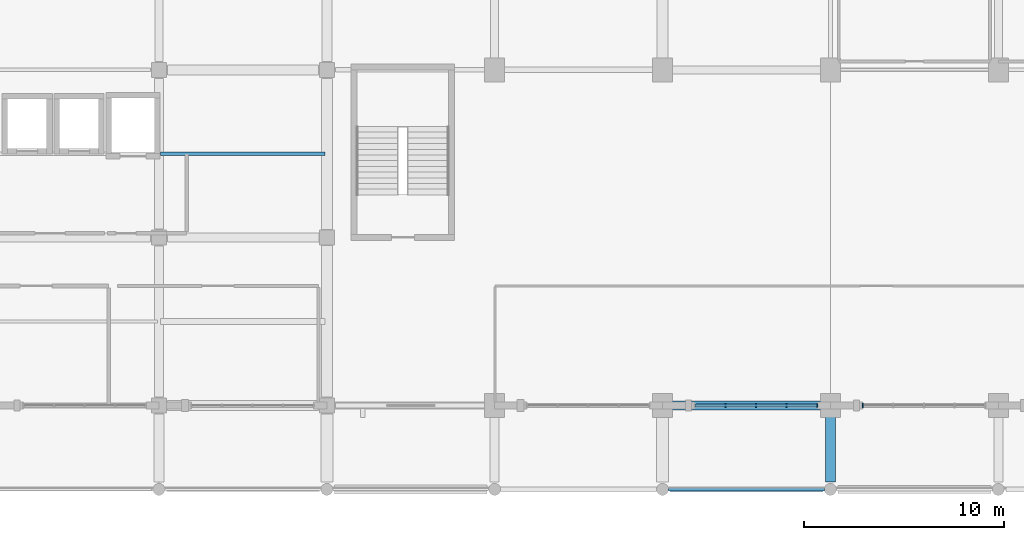
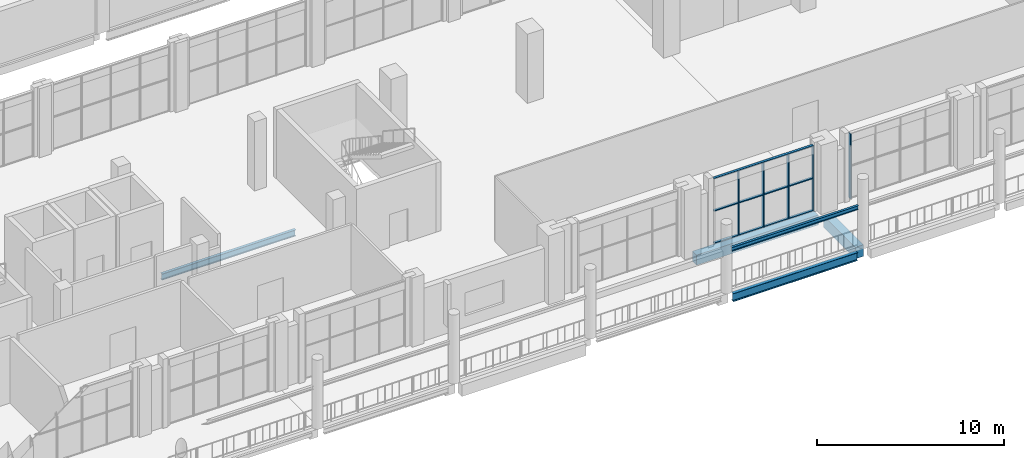
# One storey, part 26 of 75: 8 members, 5 beams, 2 elements without a shape of their own.
"""IFC4 building model written with IfcOpenShell, lengths in metres."""

from ifc_helpers import new_model, si_unit, derived_unit, direction, frame, origin, origin_2d, place, context, subcontext, project, spatial, rectangle, i_section, extrude, material, material_profile, profile_set, type_object, element, aggregate, save


model = new_model("IFC4")

# Units and contexts
model_context = context("Model", 3, precision=1e-05, world=origin(), true_north=direction((0.0, 1.0)))
body_context = subcontext(model_context, "Body", "Model", "MODEL_VIEW")
ifc_project = project(units=[si_unit("LENGTHUNIT", "METRE"), si_unit("AREAUNIT", "SQUARE_METRE"), si_unit("VOLUMEUNIT", "CUBIC_METRE"), si_unit("PLANEANGLEUNIT", "RADIAN"), si_unit("MASSUNIT", "GRAM", prefix="KILO"), derived_unit("THERMALTRANSMITTANCEUNIT", [(si_unit("POWERUNIT", "WATT"), 1), (si_unit("LENGTHUNIT", "METRE"), -2), (si_unit("THERMODYNAMICTEMPERATUREUNIT", "KELVIN"), -1)])], contexts=[model_context])

# Site, building, storey
site_placement = place(None, origin())
site = spatial("IfcSite", under=ifc_project, at=site_placement, CompositionType="ELEMENT")
building_placement = place(site_placement, origin())
building = spatial("IfcBuilding", under=site, at=building_placement, Name="Barrovel Congress Hotel", CompositionType="ELEMENT")
storey_placement = place(building_placement, frame((0.0, 0.0, 5.39990234375)))
storey = spatial("IfcBuildingStorey", under=building, at=storey_placement, Name="L01", CompositionType="ELEMENT", Elevation=5.39990234375)

# Beams
ifc_material_1 = material(Name="Concrete C40", Category="concrete")
ifc_material_profile_1 = material_profile(ifc_material_1, rectangle(XDim=0.449951171875, YDim=0.64990234375, at=origin_2d()), Name="RC450x650")
ifc_profile_set_1 = profile_set([ifc_material_profile_1], Name="Concrete C40")
beam_type_1 = type_object("IfcBeamType", Name="BM-RC450x650", PredefinedType="BEAM", material=ifc_profile_set_1)
beam_1_placement = place(storey_placement, frame((118.050048828125, 4.199951171875, -0.5849609375), z_axis=(1.0, 0.0, 0.0), x_axis=(0.0, 1.0, 0.0)))
element("IfcBeam", 1, at=beam_1_placement, inside=storey, type_object=beam_type_1, Name="BMX:L01:4.2:117.6-126.0", PredefinedType="BEAM", context=body_context, shape_type="SweptSolid", body=[
    extrude(rectangle(XDim=0.449951171875, YDim=0.64990234375, at=origin_2d()), origin(), (0.0, 0.0, 1.0), 7.5),
])
ifc_material_profile_2 = material_profile(ifc_material_1, rectangle(XDim=0.5, YDim=0.75, at=origin_2d()), Name="RC500x750")
ifc_profile_set_2 = profile_set([ifc_material_profile_2], Name="Concrete C40")
beam_type_2 = type_object("IfcBeamType", Name="BM-RC500x750", PredefinedType="BEAM", material=ifc_profile_set_2)
beam_2_placement = place(storey_placement, frame((126.0, 0.375, -0.635009765625), z_axis=(0.0, 1.0, 0.0), x_axis=(-1.0, 0.0, 0.0)))
element("IfcBeam", 2, at=beam_2_placement, inside=storey, type_object=beam_type_2, Name="BMY:L01:126.0:0.0-4.2", PredefinedType="BEAM", context=body_context, shape_type="SweptSolid", body=[
    extrude(rectangle(XDim=0.5, YDim=0.75, at=origin_2d()), origin(), (0.0, 0.0, 1.0), 3.375),
])

# Curtain wall, members
ifc_material_2 = material(Name="Anodised Aluminium Alloy 6063-T6", Category="aluminium")
curtain_wall_type = type_object("IfcCurtainWallType", Name="CW-ST-7200x3900", PredefinedType="USERDEFINED", material=ifc_material_2)
curtain_wall_1_placement = place(storey_placement, origin())
curtain_wall_1 = element("IfcCurtainWall", 3, at=curtain_wall_1_placement, inside=storey, type_object=curtain_wall_type, Name="CW:L01:S:14", ObjectType="STICK CURTAIN WALL", PredefinedType="USERDEFINED")
ifc_material_profile_3 = material_profile(ifc_material_2, rectangle(XDim=0.06494140625, YDim=0.18994140625, at=origin_2d()), Name="AL-M65x190")
ifc_profile_set_3 = profile_set([ifc_material_profile_3], Name="Anodised Aluminium Alloy 6063-T6")
member_type_1 = type_object("IfcMemberType", Name="CWM-AL-M65x190", PredefinedType="MULLION", material=ifc_profile_set_3)
member_1_placement = place(storey_placement, frame((120.75, 4.199951171875, 0.0), z_axis=(0.0, 0.0, 1.0), x_axis=(1.0, 0.0, 0.0)))
member_1 = element("IfcMember", 4, at=member_1_placement, type_object=member_type_1, Name="CW:L01:S:14:M1", PredefinedType="MULLION", context=body_context, shape_type="SweptSolid", body=[
    extrude(rectangle(XDim=0.06494140625, YDim=0.18994140625, at=origin_2d()), origin(), (0.0, 0.0, 1.0), 4.22021484375),
])
member_2_placement = place(storey_placement, frame((122.280029296875, 4.199951171875, 0.0), z_axis=(0.0, 0.0, 1.0), x_axis=(1.0, 0.0, 0.0)))
member_2 = element("IfcMember", 5, at=member_2_placement, type_object=member_type_1, Name="CW:L01:S:14:M2", PredefinedType="MULLION", context=body_context, shape_type="SweptSolid", body=[
    extrude(rectangle(XDim=0.06494140625, YDim=0.18994140625, at=origin_2d()), origin(), (0.0, 0.0, 1.0), 4.22021484375),
])
member_3_placement = place(storey_placement, frame((123.81005859375, 4.199951171875, 0.0), z_axis=(0.0, 0.0, 1.0), x_axis=(1.0, 0.0, 0.0)))
member_3 = element("IfcMember", 6, at=member_3_placement, type_object=member_type_1, Name="CW:L01:S:14:M3", PredefinedType="MULLION", context=body_context, shape_type="SweptSolid", body=[
    extrude(rectangle(XDim=0.06494140625, YDim=0.18994140625, at=origin_2d()), origin(), (0.0, 0.0, 1.0), 4.22021484375),
])
member_4_placement = place(storey_placement, frame((125.340087890625, 4.199951171875, 0.0), z_axis=(0.0, 0.0, 1.0), x_axis=(1.0, 0.0, 0.0)))
member_4 = element("IfcMember", 7, at=member_4_placement, type_object=member_type_1, Name="CW:L01:S:14:M4", PredefinedType="MULLION", context=body_context, shape_type="SweptSolid", body=[
    extrude(rectangle(XDim=0.06494140625, YDim=0.18994140625, at=origin_2d()), origin(), (0.0, 0.0, 1.0), 4.22021484375),
])

# Curtain wall, member
curtain_wall_2_placement = place(storey_placement, origin())
curtain_wall_2 = element("IfcCurtainWall", 8, at=curtain_wall_2_placement, inside=storey, type_object=curtain_wall_type, Name="CW:L01:S:15", ObjectType="STICK CURTAIN WALL", PredefinedType="USERDEFINED")
ifc_material_profile_4 = material_profile(ifc_material_2, rectangle(XDim=0.06494140625, YDim=0.219970703125, at=origin_2d()), Name="AL-M65x220")
ifc_profile_set_4 = profile_set([ifc_material_profile_4], Name="Anodised Aluminium Alloy 6063-T6")
member_type_2 = type_object("IfcMemberType", Name="CWM-AL-M65x220", PredefinedType="MULLION", material=ifc_profile_set_4)
member_5_placement = place(storey_placement, frame((127.6201171875, 4.199951171875, 0.0), z_axis=(0.0, 0.0, 1.0), x_axis=(1.0, 0.0, 0.0)))
member_5 = element("IfcMember", 9, at=member_5_placement, type_object=member_type_2, Name="CW:L01:S:15:M0", PredefinedType="MULLION", context=body_context, shape_type="SweptSolid", body=[
    extrude(rectangle(XDim=0.06494140625, YDim=0.219970703125, at=origin_2d()), origin(), (0.0, 0.0, 1.0), 4.22021484375),
])
aggregate(curtain_wall_2, [member_5])

# Member
ifc_material_profile_5 = material_profile(ifc_material_2, rectangle(XDim=0.14990234375, YDim=0.06494140625, at=origin_2d()), Name="AL-T65x150")
ifc_profile_set_5 = profile_set([ifc_material_profile_5], Name="Anodised Aluminium Alloy 6063-T6")
member_type_3 = type_object("IfcMemberType", Name="CWT-AL-T65x150", PredefinedType="USERDEFINED", material=ifc_profile_set_5)
member_6_placement = place(storey_placement, frame((119.219970703125, 4.199951171875, 0.0), z_axis=(1.0, 0.0, 0.0), x_axis=(0.0, 1.0, 0.0)))
member_6 = element("IfcMember", 10, at=member_6_placement, type_object=member_type_3, Name="CW:L01:S:14:T0", ObjectType="TRANSOM", PredefinedType="USERDEFINED", context=body_context, shape_type="SweptSolid", body=[
    extrude(rectangle(XDim=0.14990234375, YDim=0.06494140625, at=origin_2d()), origin(), (0.0, 0.0, 1.0), 6.1201171875),
])

member_7_placement = place(storey_placement, frame((119.219970703125, 4.199951171875, 2.110107421875), z_axis=(1.0, 0.0, 0.0), x_axis=(0.0, 1.0, 0.0)))
member_7 = element("IfcMember", 11, at=member_7_placement, type_object=member_type_3, Name="CW:L01:S:14:T1", ObjectType="TRANSOM", PredefinedType="USERDEFINED", context=body_context, shape_type="SweptSolid", body=[
    extrude(rectangle(XDim=0.14990234375, YDim=0.06494140625, at=origin_2d()), origin(), (0.0, 0.0, 1.0), 6.1201171875),
])

member_8_placement = place(storey_placement, frame((119.219970703125, 4.199951171875, 4.22021484375), z_axis=(1.0, 0.0, 0.0), x_axis=(0.0, 1.0, 0.0)))
member_8 = element("IfcMember", 12, at=member_8_placement, type_object=member_type_3, Name="CW:L01:S:14:T2", ObjectType="TRANSOM", PredefinedType="USERDEFINED", context=body_context, shape_type="SweptSolid", body=[
    extrude(rectangle(XDim=0.14990234375, YDim=0.06494140625, at=origin_2d()), origin(), (0.0, 0.0, 1.0), 6.1201171875),
])

aggregate(curtain_wall_1, [member_1, member_2, member_3, member_4, member_6, member_7, member_8])

# Beams
ifc_material_3 = material(Name="Steel ASTM A992 Grade 50", Category="steel")
ifc_material_profile_6 = material_profile(ifc_material_3, i_section(OverallWidth=0.14599609375, OverallDepth=0.258056640625, WebThickness=0.006103515625, FlangeThickness=0.009033203125, FilletRadius=0.010009765625, at=origin_2d()), Name="W250x33")
ifc_profile_set_6 = profile_set([ifc_material_profile_6], Name="Steel ASTM A992 Grade 50")
beam_type_3 = type_object("IfcBeamType", Name="SBM-W250x33", PredefinedType="LINTEL", material=ifc_profile_set_6)
beam_3_placement = place(storey_placement, frame((117.89990234375, 0.0, 2.62109375), z_axis=(1.0, 0.0, 0.0), x_axis=(0.0, 1.0, 0.0)))
element("IfcBeam", 13, at=beam_3_placement, inside=storey, type_object=beam_type_3, Name="LIN:L01:117.6-126.0", PredefinedType="LINTEL", context=body_context, shape_type="SweptSolid", body=[
    extrude(i_section(OverallWidth=0.14599609375, OverallDepth=0.258056640625, WebThickness=0.006103515625, FlangeThickness=0.009033203125, FilletRadius=0.010009765625, at=origin_2d()), origin(), (0.0, 0.0, 1.0), 7.800048828125),
])
ifc_material_profile_7 = material_profile(ifc_material_3, i_section(OverallWidth=0.177001953125, OverallDepth=0.403076171875, WebThickness=0.007568359375, FlangeThickness=0.010986328125, FilletRadius=0.011962890625, at=origin_2d()), Name="W410x53")
ifc_profile_set_7 = profile_set([ifc_material_profile_7], Name="Steel ASTM A992 Grade 50")
beam_type_4 = type_object("IfcBeamType", Name="SBM-W410x53", PredefinedType="JOIST", material=ifc_profile_set_7)
beam_4_placement = place(storey_placement, frame((92.47998046875, 16.800048828125, -0.46142578125), z_axis=(1.0, 0.0, 0.0), x_axis=(0.0, 1.0, 0.0)))
element("IfcBeam", 14, at=beam_4_placement, inside=storey, type_object=beam_type_4, Name="JST:L01:92.4:16.8", PredefinedType="JOIST", context=body_context, shape_type="SweptSolid", body=[
    extrude(i_section(OverallWidth=0.177001953125, OverallDepth=0.403076171875, WebThickness=0.007568359375, FlangeThickness=0.010986328125, FilletRadius=0.011962890625, at=origin_2d()), origin(), (0.0, 0.0, 1.0), 8.239990234375),
])
ifc_material_profile_8 = material_profile(ifc_material_3, i_section(OverallWidth=0.208984375, OverallDepth=0.532958984375, WebThickness=0.01025390625, FlangeThickness=0.015625, FilletRadius=0.013916015625, at=origin_2d()), Name="W530x92")
ifc_profile_set_8 = profile_set([ifc_material_profile_8], Name="Steel ASTM A992 Grade 50")
beam_type_5 = type_object("IfcBeamType", Name="SBM-W530x92", PredefinedType="BEAM", material=ifc_profile_set_8)
beam_5_placement = place(storey_placement, frame((117.97509765625, 0.0, -0.5263671875), z_axis=(1.0, 0.0, 0.0), x_axis=(0.0, 1.0, 0.0)))
element("IfcBeam", 15, at=beam_5_placement, inside=storey, type_object=beam_type_5, Name="BMX:L01:0.0:117.6-126.0", PredefinedType="BEAM", context=body_context, shape_type="SweptSolid", body=[
    extrude(i_section(OverallWidth=0.208984375, OverallDepth=0.532958984375, WebThickness=0.01025390625, FlangeThickness=0.015625, FilletRadius=0.013916015625, at=origin_2d()), origin(), (0.0, 0.0, 1.0), 7.64990234375),
])

save(model, "model.ifc")
